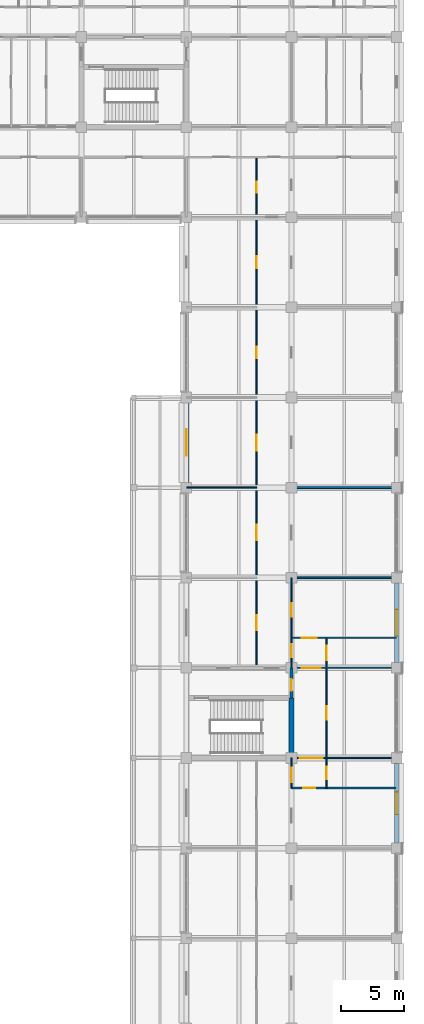
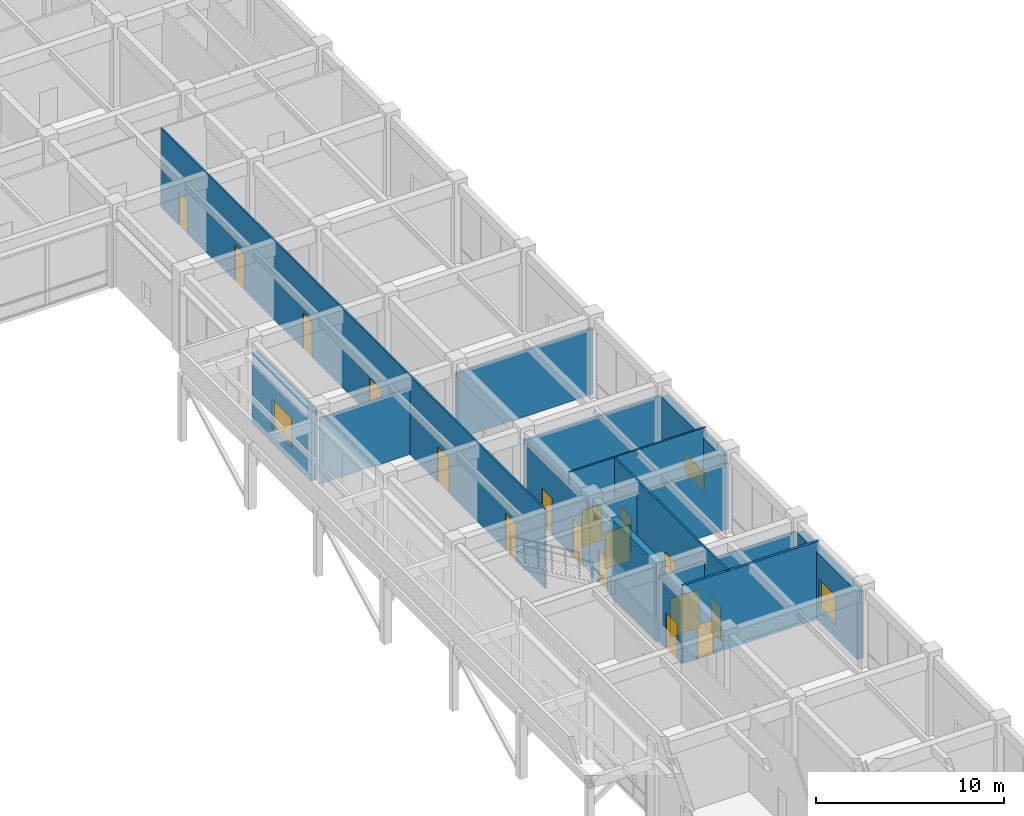
# One storey, part 55 of 68: 17 doors, 16 walls, 3 windows, 20 openings.
"""IFC4 building model written with IfcOpenShell, lengths in metres."""

from ifc_helpers import new_model, si_unit, direction, frame, frame_2d, origin, place, context, subcontext, project, spatial, rectangle, extrude, material, layer, layer_set, type_object, element, fill, save


model = new_model("IFC4")

# Units and contexts
model_context = context("Model", 3, precision=1e-05, world=origin(), true_north=direction((0.0, 1.0)))
body_context = subcontext(model_context, "Body", "Model", "MODEL_VIEW")
ifc_project = project(units=[si_unit("LENGTHUNIT", "METRE"), si_unit("AREAUNIT", "SQUARE_METRE"), si_unit("VOLUMEUNIT", "CUBIC_METRE"), si_unit("PLANEANGLEUNIT", "RADIAN"), si_unit("MASSUNIT", "GRAM", prefix="KILO")], contexts=[model_context])

# Site, building, storey
site_placement = place(None, origin())
site = spatial("IfcSite", under=ifc_project, at=site_placement, CompositionType="ELEMENT")
building_placement = place(site_placement, origin())
building = spatial("IfcBuilding", under=site, at=building_placement, Name="Chengyuan Square Courthouse", CompositionType="ELEMENT")
storey_placement = place(building_placement, frame((0.0, 0.0, 5.39990234375)))
storey = spatial("IfcBuildingStorey", under=building, at=storey_placement, Name="L02", CompositionType="ELEMENT", Elevation=5.39990234375)

# Wall, opening, window
ifc_material_1 = material(Name="Concrete C40", Category="concrete")
ifc_layer_1 = layer(ifc_material_1, 0.3798828125)
ifc_layer_set_1 = layer_set([ifc_layer_1], Name="Concrete C40")
wall_type_1 = type_object("IfcWallType", Name="WL-EW1", PredefinedType="STANDARD", material=ifc_layer_set_1)
wall_1_placement = place(storey_placement, frame((151.199951171875, 58.02001953125, 0.0), z_axis=(0.0, 0.0, 1.0), x_axis=(0.0, 1.0, 0.0)))
wall_1 = element("IfcWall", 1, at=wall_1_placement, inside=storey, type_object=wall_type_1, Name="Exterior Wall WL-L02-E244", PredefinedType="STANDARD", context=body_context, shape_type="SweptSolid", body=[
    extrude(rectangle(XDim=6.35986328125, YDim=0.3798828125, at=frame_2d((3.179931640625, 0.0))), origin(), (0.0, 0.0, 1.0), 4.47021484375),
])
opening_1_placement = place(wall_1_placement, frame((2.1298828125, 0.0, 0.85009765625)))
opening_1 = element("IfcOpeningElement", 2, at=opening_1_placement, cuts=wall_1, Name="Opening WN-046", PredefinedType="OPENING", context=body_context, shape_type="SweptSolid", body=[
    extrude(rectangle(XDim=2.10009765625, YDim=1.919921875, at=frame_2d((1.050048828125, 0.9599609375))), frame((0.0, 0.201904296875, 0.0), z_axis=(0.0, -1.0, 0.0), x_axis=(1.0, 0.0, 0.0)), (0.0, 0.0, 1.0), 0.40380859375),
])
ifc_material_2 = material(Name="Thermally Broken Aluminium Triple Low-E Window", Category="aluminium")
window_type_1 = type_object("IfcWindowType", Name="WT-41", PartitioningType="SINGLE_PANEL", PredefinedType="WINDOW", material=ifc_material_2)
window_1_placement = place(opening_1_placement, origin())
window_1 = element("IfcWindow", 3, at=window_1_placement, inside=storey, type_object=window_type_1, Name="Facade Window WN-046", OverallHeight=1.919921875, OverallWidth=2.10009765625, PartitioningType="SINGLE_PANEL", PredefinedType="WINDOW", context=body_context, shape_type="SweptSolid", body=[
    extrude(rectangle(XDim=2.10009765625, YDim=1.919921875, at=frame_2d((1.050048828125, 0.9599609375))), frame((0.0, 0.030029296875, 0.0), z_axis=(0.0, -1.0, 0.0), x_axis=(1.0, 0.0, 0.0)), (0.0, 0.0, 1.0), 0.06005859375),
])
fill(opening_1, window_1)

wall_2_placement = place(storey_placement, frame((168.0, 29.219970703125, 0.0), z_axis=(0.0, 0.0, 1.0), x_axis=(0.0, 1.0, 0.0)))
wall_2 = element("IfcWall", 4, at=wall_2_placement, inside=storey, type_object=wall_type_1, Name="Exterior Wall WL-L02-E249", PredefinedType="STANDARD", context=body_context, shape_type="SweptSolid", body=[
    extrude(rectangle(XDim=6.360107421875, YDim=0.3798828125, at=frame_2d((3.18017578125, 0.0))), origin(), (0.0, 0.0, 1.0), 4.400146484375),
])
opening_2_placement = place(wall_2_placement, frame((2.280029296875, 0.0, 0.85009765625)))
opening_2 = element("IfcOpeningElement", 5, at=opening_2_placement, cuts=wall_2, Name="Opening WN-051", PredefinedType="OPENING", context=body_context, shape_type="SweptSolid", body=[
    extrude(rectangle(XDim=1.800048828125, YDim=1.919921875, at=frame_2d((0.89990234375, 0.9599609375))), frame((0.0, 0.201904296875, 0.0), z_axis=(0.0, -1.0, 0.0), x_axis=(1.0, 0.0, 0.0)), (0.0, 0.0, 1.0), 0.40380859375),
])
window_type_2 = type_object("IfcWindowType", Name="WT-35", PartitioningType="SINGLE_PANEL", PredefinedType="WINDOW", material=ifc_material_2)
window_2_placement = place(opening_2_placement, origin())
window_2 = element("IfcWindow", 6, at=window_2_placement, inside=storey, type_object=window_type_2, Name="Facade Window WN-051", OverallHeight=1.919921875, OverallWidth=1.800048828125, PartitioningType="SINGLE_PANEL", PredefinedType="WINDOW", context=body_context, shape_type="SweptSolid", body=[
    extrude(rectangle(XDim=1.800048828125, YDim=1.919921875, at=frame_2d((0.89990234375, 0.9599609375))), frame((0.0, 0.030029296875, 0.0), z_axis=(0.0, -1.0, 0.0), x_axis=(1.0, 0.0, 0.0)), (0.0, 0.0, 1.0), 0.06005859375),
])
fill(opening_2, window_2)

wall_3_placement = place(storey_placement, frame((168.0, 43.6201171875, 0.0), z_axis=(0.0, 0.0, 1.0), x_axis=(0.0, 1.0, 0.0)))
wall_3 = element("IfcWall", 7, at=wall_3_placement, inside=storey, type_object=wall_type_1, Name="Exterior Wall WL-L02-E250", PredefinedType="STANDARD", context=body_context, shape_type="SweptSolid", body=[
    extrude(rectangle(XDim=6.35986328125, YDim=0.3798828125, at=frame_2d((3.179931640625, 0.0))), origin(), (0.0, 0.0, 1.0), 4.47021484375),
])
opening_3_placement = place(wall_3_placement, frame((2.1298828125, 0.0, 0.85009765625)))
opening_3 = element("IfcOpeningElement", 8, at=opening_3_placement, cuts=wall_3, Name="Opening WN-052", PredefinedType="OPENING", context=body_context, shape_type="SweptSolid", body=[
    extrude(rectangle(XDim=2.10009765625, YDim=1.199951171875, at=frame_2d((1.050048828125, 0.60009765625))), frame((0.0, 0.201904296875, 0.0), z_axis=(0.0, -1.0, 0.0), x_axis=(1.0, 0.0, 0.0)), (0.0, 0.0, 1.0), 0.40380859375),
])
window_type_3 = type_object("IfcWindowType", Name="WT-37", PartitioningType="SINGLE_PANEL", PredefinedType="WINDOW", material=ifc_material_2)
window_3_placement = place(opening_3_placement, origin())
window_3 = element("IfcWindow", 9, at=window_3_placement, inside=storey, type_object=window_type_3, Name="Facade Window WN-052", OverallHeight=1.199951171875, OverallWidth=2.10009765625, PartitioningType="SINGLE_PANEL", PredefinedType="WINDOW", context=body_context, shape_type="SweptSolid", body=[
    extrude(rectangle(XDim=2.10009765625, YDim=1.199951171875, at=frame_2d((1.050048828125, 0.60009765625))), frame((0.0, 0.030029296875, 0.0), z_axis=(0.0, -1.0, 0.0), x_axis=(1.0, 0.0, 0.0)), (0.0, 0.0, 1.0), 0.06005859375),
])
fill(opening_3, window_3)

# Wall, opening, door
ifc_layer_2 = layer(ifc_material_1, 0.25)
ifc_layer_set_2 = layer_set([ifc_layer_2], Name="Concrete C40")
wall_type_2 = type_object("IfcWallType", Name="WL-FW1", PredefinedType="STANDARD", material=ifc_layer_set_2)
wall_4_placement = place(storey_placement, frame((159.60009765625, 40.800048828125, 0.0), z_axis=(0.0, 0.0, 1.0), x_axis=(0.0, 1.0, 0.0)))
wall_4 = element("IfcWall", 10, at=wall_4_placement, inside=storey, type_object=wall_type_2, Name="Interior Wall WL-L02-I1377", PredefinedType="STANDARD", context=body_context, shape_type="SweptSolid", body=[
    extrude(rectangle(XDim=2.39990234375, YDim=0.25, at=frame_2d((1.199951171875, 0.0))), origin(), (0.0, 0.0, 1.0), 4.3701171875),
])
opening_4_placement = place(wall_4_placement, frame((0.552490234375, 0.0, 0.0)))
opening_4 = element("IfcOpeningElement", 11, at=opening_4_placement, cuts=wall_4, Name="Opening DR-1032", PredefinedType="OPENING", context=body_context, shape_type="SweptSolid", body=[
    extrude(rectangle(XDim=0.949951171875, YDim=2.14990234375, at=frame_2d((0.47509765625, 1.074951171875))), frame((0.0, 0.136962890625, 0.0), z_axis=(0.0, -1.0, 0.0), x_axis=(1.0, 0.0, 0.0)), (0.0, 0.0, 1.0), 0.27392578125),
])
ifc_material_3 = material(Name="Steel Q235B Fire Door", Category="steel")
door_type_1 = type_object("IfcDoorType", Name="DT-12", OperationType="NOTDEFINED", PredefinedType="DOOR", material=ifc_material_3)
door_1_placement = place(opening_4_placement, origin())
door_1 = element("IfcDoor", 12, at=door_1_placement, inside=storey, type_object=door_type_1, Name="Interior Door DR-1032", OperationType="SINGLE_SWING_RIGHT", OverallHeight=2.14990234375, OverallWidth=0.949951171875, PredefinedType="DOOR", context=body_context, shape_type="SweptSolid", body=[
    extrude(rectangle(XDim=0.949951171875, YDim=2.14990234375, at=frame_2d((0.47509765625, 1.074951171875))), frame((0.0, 0.02490234375, 0.0), z_axis=(0.0, -1.0, 0.0), x_axis=(1.0, 0.0, 0.0)), (0.0, 0.0, 1.0), 0.050048828125),
])
fill(opening_4, door_1)

ifc_material_4 = material(Name="Deliberation Room Sound-Insulated Partition")
ifc_layer_3 = layer(ifc_material_4, 0.14990234375)
ifc_layer_set_3 = layer_set([ifc_layer_3], Name="Deliberation Room Sound-Insulated Partition")
wall_type_3 = type_object("IfcWallType", Name="WL-PT3", PredefinedType="STANDARD", material=ifc_layer_set_3)
wall_5_placement = place(storey_placement, frame((159.60009765625, 33.60009765625, 0.0), z_axis=(0.0, 0.0, 1.0), x_axis=(1.0, 0.0, 0.0)))
wall_5 = element("IfcWall", 13, at=wall_5_placement, inside=storey, type_object=wall_type_3, Name="Interior Wall WL-L02-I1029", PredefinedType="STANDARD", context=body_context, shape_type="SweptSolid", body=[
    extrude(rectangle(XDim=8.35986328125, YDim=0.14990234375, at=frame_2d((4.179931640625, 0.0))), origin(), (0.0, 0.0, 1.0), 5.050048828125),
])
opening_5_placement = place(wall_5_placement, frame((0.919921875, 0.0, 0.0)))
opening_5 = element("IfcOpeningElement", 14, at=opening_5_placement, cuts=wall_5, Name="Opening DR-1310", PredefinedType="OPENING", context=body_context, shape_type="SweptSolid", body=[
    extrude(rectangle(XDim=0.9599609375, YDim=2.199951171875, at=frame_2d((0.47998046875, 1.10009765625))), frame((0.0, 0.0869140625, 0.0), z_axis=(0.0, -1.0, 0.0), x_axis=(1.0, 0.0, 0.0)), (0.0, 0.0, 1.0), 0.173828125),
])
ifc_material_5 = material(Name="Acoustic Solid-Core Timber Door", Category="wood")
door_type_2 = type_object("IfcDoorType", Name="DT-30", OperationType="NOTDEFINED", PredefinedType="DOOR", material=ifc_material_5)
door_2_placement = place(opening_5_placement, origin())
door_2 = element("IfcDoor", 15, at=door_2_placement, inside=storey, type_object=door_type_2, Name="Interior Door DR-1310", OperationType="SINGLE_SWING_LEFT", OverallHeight=2.199951171875, OverallWidth=0.9599609375, PredefinedType="DOOR", context=body_context, shape_type="SweptSolid", body=[
    extrude(rectangle(XDim=0.9599609375, YDim=2.199951171875, at=frame_2d((0.47998046875, 1.10009765625))), frame((0.0, 0.02490234375, 0.0), z_axis=(0.0, -1.0, 0.0), x_axis=(1.0, 0.0, 0.0)), (0.0, 0.0, 1.0), 0.050048828125),
])
fill(opening_5, door_2)

# Walls
for number, where, z_axis, x_axis, name in (
    (16, (159.60009765625, 50.39990234375, 0.0), (0.0, 0.0, 1.0), (1.0, 0.0, 0.0), "Interior Wall WL-L02-I1045"),
    (17, (159.60009765625, 57.60009765625, 0.0), (0.0, 0.0, 1.0), (1.0, 0.0, 0.0), "Interior Wall WL-L02-I1049"),
):
    element("IfcWall", number, at=place(storey_placement, frame(where, z_axis=z_axis, x_axis=x_axis)), inside=storey, type_object=wall_type_3, Name=name, PredefinedType="STANDARD", context=body_context, shape_type="SweptSolid", body=[
        extrude(rectangle(XDim=8.35986328125, YDim=0.14990234375, at=frame_2d((4.179931640625, 0.0))), origin(), (0.0, 0.0, 1.0), 4.27001953125),
    ])

# Wall, opening, door
ifc_material_6 = material(Name="Gypsum Plasterboard Acoustic Stud Partition")
ifc_layer_4 = layer(ifc_material_6, 0.10009765625)
ifc_layer_set_4 = layer_set([ifc_layer_4], Name="Gypsum Plasterboard Acoustic Stud Partition")
wall_type_4 = type_object("IfcWallType", Name="WL-PT6", PredefinedType="STANDARD", material=ifc_layer_set_4)
wall_6_placement = place(storey_placement, frame((159.60009765625, 36.0, 0.0), z_axis=(0.0, 0.0, 1.0), x_axis=(1.0, 0.0, 0.0)))
wall_6 = element("IfcWall", 18, at=wall_6_placement, inside=storey, type_object=wall_type_4, Name="Interior Wall WL-L02-I1033", PredefinedType="STANDARD", context=body_context, shape_type="SweptSolid", body=[
    extrude(rectangle(XDim=8.35986328125, YDim=0.10009765625, at=frame_2d((4.179931640625, 0.0))), origin(), (0.0, 0.0, 1.0), 4.2001953125),
])
opening_6_placement = place(wall_6_placement, frame((0.672607421875, 0.0, 0.0)))
opening_6 = element("IfcOpeningElement", 19, at=opening_6_placement, cuts=wall_6, Name="Opening DR-1312", PredefinedType="OPENING", context=body_context, shape_type="SweptSolid", body=[
    extrude(rectangle(XDim=1.800048828125, YDim=2.5, at=frame_2d((0.89990234375, 1.25))), frame((0.0, 0.06201171875, 0.0), z_axis=(0.0, -1.0, 0.0), x_axis=(1.0, 0.0, 0.0)), (0.0, 0.0, 1.0), 0.1240234375),
])
ifc_material_7 = material(Name="Acoustic Larch Veneer Double Door")
door_type_3 = type_object("IfcDoorType", Name="DT-21", OperationType="DOUBLE_DOOR_SINGLE_SWING", PredefinedType="DOOR", material=ifc_material_7)
door_3_placement = place(opening_6_placement, frame((1.800048828125, 0.0, 0.0), z_axis=(0.0, 0.0, 1.0), x_axis=(-1.0, 0.0, 0.0)))
door_3 = element("IfcDoor", 20, at=door_3_placement, inside=storey, type_object=door_type_3, Name="Interior Door DR-1312", OperationType="DOUBLE_DOOR_SINGLE_SWING", OverallHeight=2.5, OverallWidth=1.800048828125, PredefinedType="DOOR", context=body_context, shape_type="SweptSolid", body=[
    extrude(rectangle(XDim=1.800048828125, YDim=2.5, at=frame_2d((0.89990234375, 1.25))), frame((0.0, 0.02490234375, 0.0), z_axis=(0.0, -1.0, 0.0), x_axis=(1.0, 0.0, 0.0)), (0.0, 0.0, 1.0), 0.050048828125),
])
fill(opening_6, door_3)

wall_7_placement = place(storey_placement, frame((159.60009765625, 43.199951171875, 0.0), z_axis=(0.0, 0.0, 1.0), x_axis=(1.0, 0.0, 0.0)))
wall_7 = element("IfcWall", 21, at=wall_7_placement, inside=storey, type_object=wall_type_4, Name="Interior Wall WL-L02-I1039", PredefinedType="STANDARD", context=body_context, shape_type="SweptSolid", body=[
    extrude(rectangle(XDim=8.35986328125, YDim=0.10009765625, at=frame_2d((4.179931640625, 0.0))), origin(), (0.0, 0.0, 1.0), 4.27001953125),
])
opening_7_placement = place(wall_7_placement, frame((0.797607421875, 0.0, 0.0)))
opening_7 = element("IfcOpeningElement", 22, at=opening_7_placement, cuts=wall_7, Name="Opening DR-1314", PredefinedType="OPENING", context=body_context, shape_type="SweptSolid", body=[
    extrude(rectangle(XDim=1.550048828125, YDim=2.35009765625, at=frame_2d((0.77490234375, 1.175048828125))), frame((0.0, 0.06201171875, 0.0), z_axis=(0.0, -1.0, 0.0), x_axis=(1.0, 0.0, 0.0)), (0.0, 0.0, 1.0), 0.1240234375),
])
door_type_4 = type_object("IfcDoorType", Name="DT-23", OperationType="DOUBLE_DOOR_SINGLE_SWING", PredefinedType="DOOR", material=ifc_material_7)
door_4_placement = place(opening_7_placement, frame((1.550048828125, 0.0, 0.0), z_axis=(0.0, 0.0, 1.0), x_axis=(-1.0, 0.0, 0.0)))
door_4 = element("IfcDoor", 23, at=door_4_placement, inside=storey, type_object=door_type_4, Name="Interior Door DR-1314", OperationType="DOUBLE_DOOR_SINGLE_SWING", OverallHeight=2.35009765625, OverallWidth=1.550048828125, PredefinedType="DOOR", context=body_context, shape_type="SweptSolid", body=[
    extrude(rectangle(XDim=1.550048828125, YDim=2.35009765625, at=frame_2d((0.77490234375, 1.175048828125))), frame((0.0, 0.02490234375, 0.0), z_axis=(0.0, -1.0, 0.0), x_axis=(1.0, 0.0, 0.0)), (0.0, 0.0, 1.0), 0.050048828125),
])
fill(opening_7, door_4)

wall_8_placement = place(storey_placement, frame((159.60009765625, 45.60009765625, 0.0), z_axis=(0.0, 0.0, 1.0), x_axis=(1.0, 0.0, 0.0)))
wall_8 = element("IfcWall", 24, at=wall_8_placement, inside=storey, type_object=wall_type_4, Name="Interior Wall WL-L02-I1041", PredefinedType="STANDARD", context=body_context, shape_type="SweptSolid", body=[
    extrude(rectangle(XDim=8.35986328125, YDim=0.10009765625, at=frame_2d((4.179931640625, 0.0))), origin(), (0.0, 0.0, 1.0), 5.1201171875),
])
opening_8_placement = place(wall_8_placement, frame((0.800048828125, 0.0, 0.0)))
opening_8 = element("IfcOpeningElement", 25, at=opening_8_placement, cuts=wall_8, Name="Opening DR-1316", PredefinedType="OPENING", context=body_context, shape_type="SweptSolid", body=[
    extrude(rectangle(XDim=1.199951171875, YDim=2.35009765625, at=frame_2d((0.60009765625, 1.175048828125))), frame((0.0, 0.06201171875, 0.0), z_axis=(0.0, -1.0, 0.0), x_axis=(1.0, 0.0, 0.0)), (0.0, 0.0, 1.0), 0.1240234375),
])
door_type_5 = type_object("IfcDoorType", Name="DT-36", OperationType="NOTDEFINED", PredefinedType="DOOR", material=ifc_material_5)
door_5_placement = place(opening_8_placement, origin())
door_5 = element("IfcDoor", 26, at=door_5_placement, inside=storey, type_object=door_type_5, Name="Interior Door DR-1316", OperationType="SINGLE_SWING_LEFT", OverallHeight=2.35009765625, OverallWidth=1.199951171875, PredefinedType="DOOR", context=body_context, shape_type="SweptSolid", body=[
    extrude(rectangle(XDim=1.199951171875, YDim=2.35009765625, at=frame_2d((0.60009765625, 1.175048828125))), frame((0.0, 0.02490234375, 0.0), z_axis=(0.0, -1.0, 0.0), x_axis=(1.0, 0.0, 0.0)), (0.0, 0.0, 1.0), 0.050048828125),
])
fill(opening_8, door_5)

# Wall
wall_9_placement = place(storey_placement, frame((151.239990234375, 57.60009765625, 0.0), z_axis=(0.0, 0.0, 1.0), x_axis=(1.0, 0.0, 0.0)))
element("IfcWall", 27, at=wall_9_placement, inside=storey, type_object=wall_type_4, Name="Interior Wall WL-L02-I1048", PredefinedType="STANDARD", context=body_context, shape_type="SweptSolid", body=[
    extrude(rectangle(XDim=5.56005859375, YDim=0.10009765625, at=frame_2d((2.780029296875, 0.0))), origin(), (0.0, 0.0, 1.0), 4.27001953125),
])

# Wall, openings, doors
wall_10_placement = place(storey_placement, frame((156.800048828125, 43.199951171875, 0.0), z_axis=(0.0, 0.0, 1.0), x_axis=(0.0, 1.0, 0.0)))
wall_10 = element("IfcWall", 28, at=wall_10_placement, inside=storey, type_object=wall_type_4, Name="Interior Wall WL-L02-I1373", PredefinedType="STANDARD", context=body_context, shape_type="SweptSolid", body=[
    extrude(rectangle(XDim=40.800048828125, YDim=0.10009765625, at=frame_2d((20.39990234375, 0.0))), origin(), (0.0, 0.0, 1.0), 5.1201171875),
])
opening_9_placement = place(wall_10_placement, frame((37.949951171875, 0.0, 0.0)))
opening_9 = element("IfcOpeningElement", 29, at=opening_9_placement, cuts=wall_10, Name="Opening DR-1256", PredefinedType="OPENING", context=body_context, shape_type="SweptSolid", body=[
    extrude(rectangle(XDim=0.89990234375, YDim=2.14990234375, at=frame_2d((0.449951171875, 1.074951171875))), frame((0.0, 0.06201171875, 0.0), z_axis=(0.0, -1.0, 0.0), x_axis=(1.0, 0.0, 0.0)), (0.0, 0.0, 1.0), 0.1240234375),
])
opening_10_placement = place(wall_10_placement, frame((3.0, 0.0, 0.0)))
opening_10 = element("IfcOpeningElement", 30, at=opening_10_placement, cuts=wall_10, Name="Opening DR-1299", PredefinedType="OPENING", context=body_context, shape_type="SweptSolid", body=[
    extrude(rectangle(XDim=1.199951171875, YDim=2.35009765625, at=frame_2d((0.60009765625, 1.175048828125))), frame((0.0, 0.06201171875, 0.0), z_axis=(0.0, -1.0, 0.0), x_axis=(1.0, 0.0, 0.0)), (0.0, 0.0, 1.0), 0.1240234375),
])
opening_11_placement = place(wall_10_placement, frame((10.179931640625, 0.0, 0.0)))
opening_11 = element("IfcOpeningElement", 31, at=opening_11_placement, cuts=wall_10, Name="Opening DR-1300", PredefinedType="OPENING", context=body_context, shape_type="SweptSolid", body=[
    extrude(rectangle(XDim=1.239990234375, YDim=2.300048828125, at=frame_2d((0.6201171875, 1.14990234375))), frame((0.0, 0.06201171875, 0.0), z_axis=(0.0, -1.0, 0.0), x_axis=(1.0, 0.0, 0.0)), (0.0, 0.0, 1.0), 0.1240234375),
])
opening_12_placement = place(wall_10_placement, frame((17.360107421875, 0.0, 0.0)))
opening_12 = element("IfcOpeningElement", 32, at=opening_12_placement, cuts=wall_10, Name="Opening DR-1301", PredefinedType="OPENING", context=body_context, shape_type="SweptSolid", body=[
    extrude(rectangle(XDim=1.280029296875, YDim=2.35009765625, at=frame_2d((0.64013671875, 1.175048828125))), frame((0.0, 0.06201171875, 0.0), z_axis=(0.0, -1.0, 0.0), x_axis=(1.0, 0.0, 0.0)), (0.0, 0.0, 1.0), 0.1240234375),
])
opening_13_placement = place(wall_10_placement, frame((24.72998046875, 0.0, 0.0)))
opening_13 = element("IfcOpeningElement", 33, at=opening_13_placement, cuts=wall_10, Name="Opening DR-1302", PredefinedType="OPENING", context=body_context, shape_type="SweptSolid", body=[
    extrude(rectangle(XDim=0.93994140625, YDim=2.300048828125, at=frame_2d((0.469970703125, 1.14990234375))), frame((0.0, 0.06201171875, 0.0), z_axis=(0.0, -1.0, 0.0), x_axis=(1.0, 0.0, 0.0)), (0.0, 0.0, 1.0), 0.1240234375),
])
opening_14_placement = place(wall_10_placement, frame((31.909912109375, 0.0, 0.0)))
opening_14 = element("IfcOpeningElement", 34, at=opening_14_placement, cuts=wall_10, Name="Opening DR-1303", PredefinedType="OPENING", context=body_context, shape_type="SweptSolid", body=[
    extrude(rectangle(XDim=0.97998046875, YDim=2.35009765625, at=frame_2d((0.489990234375, 1.175048828125))), frame((0.0, 0.06201171875, 0.0), z_axis=(0.0, -1.0, 0.0), x_axis=(1.0, 0.0, 0.0)), (0.0, 0.0, 1.0), 0.1240234375),
])
door_type_6 = type_object("IfcDoorType", Name="DT-27", OperationType="NOTDEFINED", PredefinedType="DOOR", material=ifc_material_5)
door_6_placement = place(opening_9_placement, origin())
door_6 = element("IfcDoor", 35, at=door_6_placement, inside=storey, type_object=door_type_6, Name="Interior Door DR-1256", OperationType="SINGLE_SWING_LEFT", OverallHeight=2.14990234375, OverallWidth=0.89990234375, PredefinedType="DOOR", context=body_context, shape_type="SweptSolid", body=[
    extrude(rectangle(XDim=0.89990234375, YDim=2.14990234375, at=frame_2d((0.449951171875, 1.074951171875))), frame((0.0, 0.02490234375, 0.0), z_axis=(0.0, -1.0, 0.0), x_axis=(1.0, 0.0, 0.0)), (0.0, 0.0, 1.0), 0.050048828125),
])
fill(opening_9, door_6)
door_7_placement = place(opening_10_placement, origin())
door_7 = element("IfcDoor", 36, at=door_7_placement, inside=storey, type_object=door_type_5, Name="Interior Door DR-1299", OperationType="SINGLE_SWING_RIGHT", OverallHeight=2.35009765625, OverallWidth=1.199951171875, PredefinedType="DOOR", context=body_context, shape_type="SweptSolid", body=[
    extrude(rectangle(XDim=1.199951171875, YDim=2.35009765625, at=frame_2d((0.60009765625, 1.175048828125))), frame((0.0, 0.02490234375, 0.0), z_axis=(0.0, -1.0, 0.0), x_axis=(1.0, 0.0, 0.0)), (0.0, 0.0, 1.0), 0.050048828125),
])
fill(opening_10, door_7)
door_type_7 = type_object("IfcDoorType", Name="DT-37", OperationType="NOTDEFINED", PredefinedType="DOOR", material=ifc_material_5)
door_8_placement = place(opening_11_placement, origin())
door_8 = element("IfcDoor", 37, at=door_8_placement, inside=storey, type_object=door_type_7, Name="Interior Door DR-1300", OperationType="SINGLE_SWING_LEFT", OverallHeight=2.300048828125, OverallWidth=1.239990234375, PredefinedType="DOOR", context=body_context, shape_type="SweptSolid", body=[
    extrude(rectangle(XDim=1.239990234375, YDim=2.300048828125, at=frame_2d((0.6201171875, 1.14990234375))), frame((0.0, 0.02490234375, 0.0), z_axis=(0.0, -1.0, 0.0), x_axis=(1.0, 0.0, 0.0)), (0.0, 0.0, 1.0), 0.050048828125),
])
fill(opening_11, door_8)
door_type_8 = type_object("IfcDoorType", Name="DT-38", OperationType="NOTDEFINED", PredefinedType="DOOR", material=ifc_material_5)
door_9_placement = place(opening_12_placement, origin())
door_9 = element("IfcDoor", 38, at=door_9_placement, inside=storey, type_object=door_type_8, Name="Interior Door DR-1301", OperationType="SINGLE_SWING_RIGHT", OverallHeight=2.35009765625, OverallWidth=1.280029296875, PredefinedType="DOOR", context=body_context, shape_type="SweptSolid", body=[
    extrude(rectangle(XDim=1.280029296875, YDim=2.35009765625, at=frame_2d((0.64013671875, 1.175048828125))), frame((0.0, 0.02490234375, 0.0), z_axis=(0.0, -1.0, 0.0), x_axis=(1.0, 0.0, 0.0)), (0.0, 0.0, 1.0), 0.050048828125),
])
fill(opening_12, door_9)
door_type_9 = type_object("IfcDoorType", Name="DT-39", OperationType="NOTDEFINED", PredefinedType="DOOR", material=ifc_material_5)
door_10_placement = place(opening_13_placement, origin())
door_10 = element("IfcDoor", 39, at=door_10_placement, inside=storey, type_object=door_type_9, Name="Interior Door DR-1302", OperationType="SINGLE_SWING_LEFT", OverallHeight=2.300048828125, OverallWidth=0.93994140625, PredefinedType="DOOR", context=body_context, shape_type="SweptSolid", body=[
    extrude(rectangle(XDim=0.93994140625, YDim=2.300048828125, at=frame_2d((0.469970703125, 1.14990234375))), frame((0.0, 0.02490234375, 0.0), z_axis=(0.0, -1.0, 0.0), x_axis=(1.0, 0.0, 0.0)), (0.0, 0.0, 1.0), 0.050048828125),
])
fill(opening_13, door_10)
door_type_10 = type_object("IfcDoorType", Name="DT-40", OperationType="NOTDEFINED", PredefinedType="DOOR", material=ifc_material_5)
door_11_placement = place(opening_14_placement, origin())
door_11 = element("IfcDoor", 40, at=door_11_placement, inside=storey, type_object=door_type_10, Name="Interior Door DR-1303", OperationType="SINGLE_SWING_RIGHT", OverallHeight=2.35009765625, OverallWidth=0.97998046875, PredefinedType="DOOR", context=body_context, shape_type="SweptSolid", body=[
    extrude(rectangle(XDim=0.97998046875, YDim=2.35009765625, at=frame_2d((0.489990234375, 1.175048828125))), frame((0.0, 0.02490234375, 0.0), z_axis=(0.0, -1.0, 0.0), x_axis=(1.0, 0.0, 0.0)), (0.0, 0.0, 1.0), 0.050048828125),
])
fill(opening_14, door_11)

# Wall, opening, door
wall_11_placement = place(storey_placement, frame((159.60009765625, 33.60009765625, 0.0), z_axis=(0.0, 0.0, 1.0), x_axis=(0.0, 1.0, 0.0)))
wall_11 = element("IfcWall", 41, at=wall_11_placement, inside=storey, type_object=wall_type_4, Name="Interior Wall WL-L02-I1375", PredefinedType="STANDARD", context=body_context, shape_type="SweptSolid", body=[
    extrude(rectangle(XDim=2.39990234375, YDim=0.10009765625, at=frame_2d((1.199951171875, 0.0))), origin(), (0.0, 0.0, 1.0), 4.300048828125),
])
opening_15_placement = place(wall_11_placement, frame((0.447509765625, 0.0, 0.0)))
opening_15 = element("IfcOpeningElement", 42, at=opening_15_placement, cuts=wall_11, Name="Opening DR-1298", PredefinedType="OPENING", context=body_context, shape_type="SweptSolid", body=[
    extrude(rectangle(XDim=1.159912109375, YDim=2.300048828125, at=frame_2d((0.580078125, 1.14990234375))), frame((0.0, 0.06201171875, 0.0), z_axis=(0.0, -1.0, 0.0), x_axis=(1.0, 0.0, 0.0)), (0.0, 0.0, 1.0), 0.1240234375),
])
door_type_11 = type_object("IfcDoorType", Name="DT-35", OperationType="NOTDEFINED", PredefinedType="DOOR", material=ifc_material_5)
door_12_placement = place(opening_15_placement, origin())
door_12 = element("IfcDoor", 43, at=door_12_placement, inside=storey, type_object=door_type_11, Name="Interior Door DR-1298", OperationType="SINGLE_SWING_LEFT", OverallHeight=2.300048828125, OverallWidth=1.159912109375, PredefinedType="DOOR", context=body_context, shape_type="SweptSolid", body=[
    extrude(rectangle(XDim=1.159912109375, YDim=2.300048828125, at=frame_2d((0.580078125, 1.14990234375))), frame((0.0, 0.02490234375, 0.0), z_axis=(0.0, -1.0, 0.0), x_axis=(1.0, 0.0, 0.0)), (0.0, 0.0, 1.0), 0.050048828125),
])
fill(opening_15, door_12)

# Wall, openings, doors
wall_12_placement = place(storey_placement, frame((159.60009765625, 43.199951171875, 0.0), z_axis=(0.0, 0.0, 1.0), x_axis=(0.0, 1.0, 0.0)))
wall_12 = element("IfcWall", 44, at=wall_12_placement, inside=storey, type_object=wall_type_4, Name="Interior Wall WL-L02-I1378", PredefinedType="STANDARD", context=body_context, shape_type="SweptSolid", body=[
    extrude(rectangle(XDim=7.199951171875, YDim=0.10009765625, at=frame_2d((3.60009765625, 0.0))), origin(), (0.0, 0.0, 1.0), 4.3701171875),
])
opening_16_placement = place(wall_12_placement, frame((0.862548828125, 0.0, 0.0)))
opening_16 = element("IfcOpeningElement", 45, at=opening_16_placement, cuts=wall_12, Name="Opening DR-1304", PredefinedType="OPENING", context=body_context, shape_type="SweptSolid", body=[
    extrude(rectangle(XDim=1.02001953125, YDim=2.39990234375, at=frame_2d((0.510009765625, 1.199951171875))), frame((0.0, 0.06201171875, 0.0), z_axis=(0.0, -1.0, 0.0), x_axis=(1.0, 0.0, 0.0)), (0.0, 0.0, 1.0), 0.1240234375),
])
opening_17_placement = place(wall_12_placement, frame((4.097412109375, 0.0, 0.0)))
opening_17 = element("IfcOpeningElement", 46, at=opening_17_placement, cuts=wall_12, Name="Opening DR-1305", PredefinedType="OPENING", context=body_context, shape_type="SweptSolid", body=[
    extrude(rectangle(XDim=1.06005859375, YDim=2.39990234375, at=frame_2d((0.530029296875, 1.199951171875))), frame((0.0, 0.06201171875, 0.0), z_axis=(0.0, -1.0, 0.0), x_axis=(1.0, 0.0, 0.0)), (0.0, 0.0, 1.0), 0.1240234375),
])
door_type_12 = type_object("IfcDoorType", Name="DT-41", OperationType="NOTDEFINED", PredefinedType="DOOR", material=ifc_material_5)
door_13_placement = place(opening_16_placement, origin())
door_13 = element("IfcDoor", 47, at=door_13_placement, inside=storey, type_object=door_type_12, Name="Interior Door DR-1304", OperationType="SINGLE_SWING_LEFT", OverallHeight=2.39990234375, OverallWidth=1.02001953125, PredefinedType="DOOR", context=body_context, shape_type="SweptSolid", body=[
    extrude(rectangle(XDim=1.02001953125, YDim=2.39990234375, at=frame_2d((0.510009765625, 1.199951171875))), frame((0.0, 0.02490234375, 0.0), z_axis=(0.0, -1.0, 0.0), x_axis=(1.0, 0.0, 0.0)), (0.0, 0.0, 1.0), 0.050048828125),
])
fill(opening_16, door_13)
door_type_13 = type_object("IfcDoorType", Name="DT-42", OperationType="NOTDEFINED", PredefinedType="DOOR", material=ifc_material_5)
door_14_placement = place(opening_17_placement, origin())
door_14 = element("IfcDoor", 48, at=door_14_placement, inside=storey, type_object=door_type_13, Name="Interior Door DR-1305", OperationType="SINGLE_SWING_RIGHT", OverallHeight=2.39990234375, OverallWidth=1.06005859375, PredefinedType="DOOR", context=body_context, shape_type="SweptSolid", body=[
    extrude(rectangle(XDim=1.06005859375, YDim=2.39990234375, at=frame_2d((0.530029296875, 1.199951171875))), frame((0.0, 0.02490234375, 0.0), z_axis=(0.0, -1.0, 0.0), x_axis=(1.0, 0.0, 0.0)), (0.0, 0.0, 1.0), 0.050048828125),
])
fill(opening_17, door_14)

wall_13_placement = place(storey_placement, frame((162.39990234375, 33.60009765625, 0.0), z_axis=(0.0, 0.0, 1.0), x_axis=(0.0, 1.0, 0.0)))
wall_13 = element("IfcWall", 49, at=wall_13_placement, inside=storey, type_object=wall_type_4, Name="Interior Wall WL-L02-I1383", PredefinedType="STANDARD", context=body_context, shape_type="SweptSolid", body=[
    extrude(rectangle(XDim=12.0, YDim=0.10009765625, at=frame_2d((6.0, 0.0))), origin(), (0.0, 0.0, 1.0), 5.1201171875),
])
opening_18_placement = place(wall_13_placement, frame((0.699951171875, 0.0, 0.0)))
opening_18 = element("IfcOpeningElement", 50, at=opening_18_placement, cuts=wall_13, Name="Opening DR-1311", PredefinedType="OPENING", context=body_context, shape_type="SweptSolid", body=[
    extrude(rectangle(XDim=1.0, YDim=2.25, at=frame_2d((0.5, 1.125))), frame((0.0, 0.06201171875, 0.0), z_axis=(0.0, -1.0, 0.0), x_axis=(1.0, 0.0, 0.0)), (0.0, 0.0, 1.0), 0.1240234375),
])
opening_19_placement = place(wall_13_placement, frame((5.4599609375, 0.0, 0.0)))
opening_19 = element("IfcOpeningElement", 51, at=opening_19_placement, cuts=wall_13, Name="Opening DR-1313", PredefinedType="OPENING", context=body_context, shape_type="SweptSolid", body=[
    extrude(rectangle(XDim=1.080078125, YDim=2.25, at=frame_2d((0.5400390625, 1.125))), frame((0.0, 0.06201171875, 0.0), z_axis=(0.0, -1.0, 0.0), x_axis=(1.0, 0.0, 0.0)), (0.0, 0.0, 1.0), 0.1240234375),
])
opening_20_placement = place(wall_13_placement, frame((10.219970703125, 0.0, 0.0)))
opening_20 = element("IfcOpeningElement", 52, at=opening_20_placement, cuts=wall_13, Name="Opening DR-1315", PredefinedType="OPENING", context=body_context, shape_type="SweptSolid", body=[
    extrude(rectangle(XDim=1.159912109375, YDim=2.300048828125, at=frame_2d((0.580078125, 1.14990234375))), frame((0.0, 0.06201171875, 0.0), z_axis=(0.0, -1.0, 0.0), x_axis=(1.0, 0.0, 0.0)), (0.0, 0.0, 1.0), 0.1240234375),
])
door_type_14 = type_object("IfcDoorType", Name="DT-31", OperationType="NOTDEFINED", PredefinedType="DOOR", material=ifc_material_5)
door_15_placement = place(opening_18_placement, origin())
door_15 = element("IfcDoor", 53, at=door_15_placement, inside=storey, type_object=door_type_14, Name="Interior Door DR-1311", OperationType="SINGLE_SWING_RIGHT", OverallHeight=2.25, OverallWidth=1.0, PredefinedType="DOOR", context=body_context, shape_type="SweptSolid", body=[
    extrude(rectangle(XDim=1.0, YDim=2.25, at=frame_2d((0.5, 1.125))), frame((0.0, 0.02490234375, 0.0), z_axis=(0.0, -1.0, 0.0), x_axis=(1.0, 0.0, 0.0)), (0.0, 0.0, 1.0), 0.050048828125),
])
fill(opening_18, door_15)
door_type_15 = type_object("IfcDoorType", Name="DT-33", OperationType="NOTDEFINED", PredefinedType="DOOR", material=ifc_material_5)
door_16_placement = place(opening_19_placement, origin())
door_16 = element("IfcDoor", 54, at=door_16_placement, inside=storey, type_object=door_type_15, Name="Interior Door DR-1313", OperationType="SINGLE_SWING_LEFT", OverallHeight=2.25, OverallWidth=1.080078125, PredefinedType="DOOR", context=body_context, shape_type="SweptSolid", body=[
    extrude(rectangle(XDim=1.080078125, YDim=2.25, at=frame_2d((0.5400390625, 1.125))), frame((0.0, 0.02490234375, 0.0), z_axis=(0.0, -1.0, 0.0), x_axis=(1.0, 0.0, 0.0)), (0.0, 0.0, 1.0), 0.050048828125),
])
fill(opening_19, door_16)
door_17_placement = place(opening_20_placement, origin())
door_17 = element("IfcDoor", 55, at=door_17_placement, inside=storey, type_object=door_type_11, Name="Interior Door DR-1315", OperationType="SINGLE_SWING_RIGHT", OverallHeight=2.300048828125, OverallWidth=1.159912109375, PredefinedType="DOOR", context=body_context, shape_type="SweptSolid", body=[
    extrude(rectangle(XDim=1.159912109375, YDim=2.300048828125, at=frame_2d((0.580078125, 1.14990234375))), frame((0.0, 0.02490234375, 0.0), z_axis=(0.0, -1.0, 0.0), x_axis=(1.0, 0.0, 0.0)), (0.0, 0.0, 1.0), 0.050048828125),
])
fill(opening_20, door_17)

# Wall
ifc_material_8 = material(Name="Concrete C50", Category="concrete")
ifc_layer_5 = layer(ifc_material_8, 0.39990234375)
ifc_layer_set_5 = layer_set([ifc_layer_5], Name="Concrete C50")
wall_type_5 = type_object("IfcWallType", Name="WL-SW1", PredefinedType="SHEAR", material=ifc_layer_set_5)
wall_14_placement = place(storey_placement, frame((159.60009765625, 36.0, 0.0), z_axis=(0.0, 0.0, 1.0), x_axis=(0.0, 1.0, 0.0)))
element("IfcWall", 56, at=wall_14_placement, inside=storey, type_object=wall_type_5, Name="Interior Wall WL-L02-I1376", PredefinedType="SHEAR", context=body_context, shape_type="SweptSolid", body=[
    extrude(rectangle(XDim=4.800048828125, YDim=0.39990234375, at=frame_2d((2.39990234375, 0.0))), origin(), (0.0, 0.0, 1.0), 5.1201171875),
])

save(model, "model.ifc")
